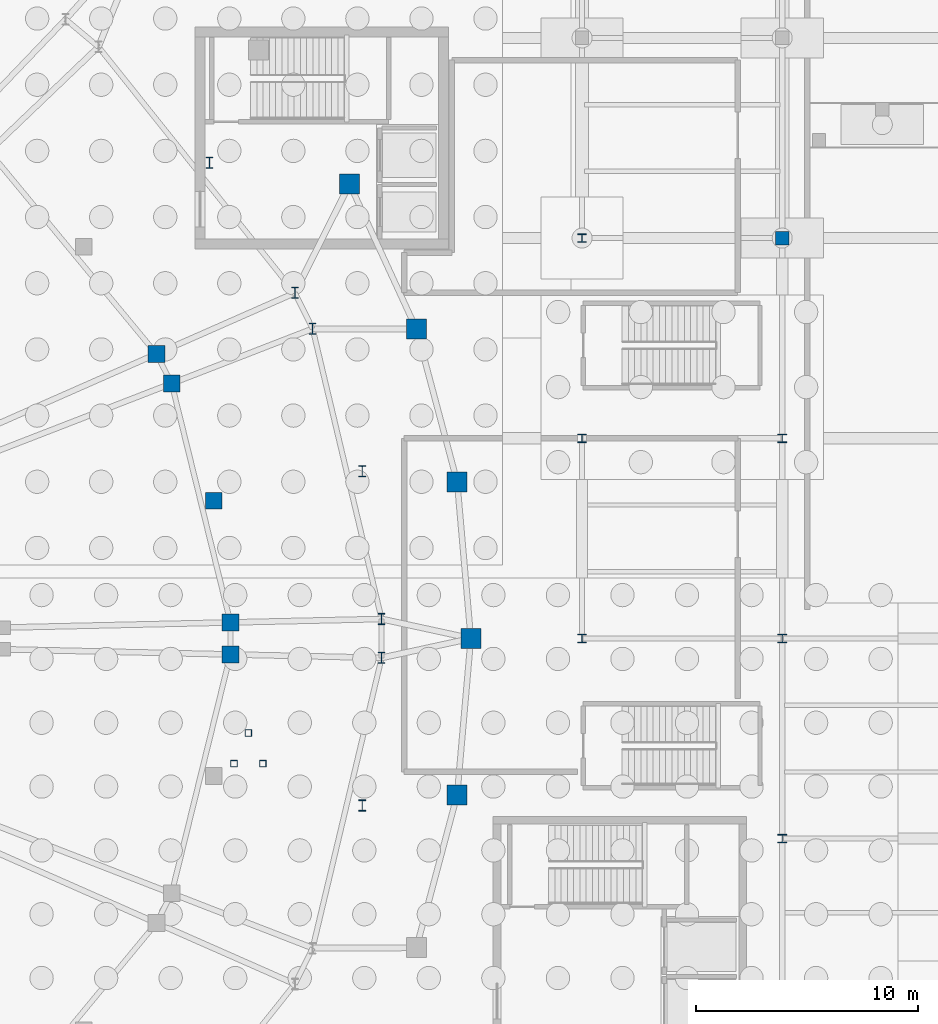
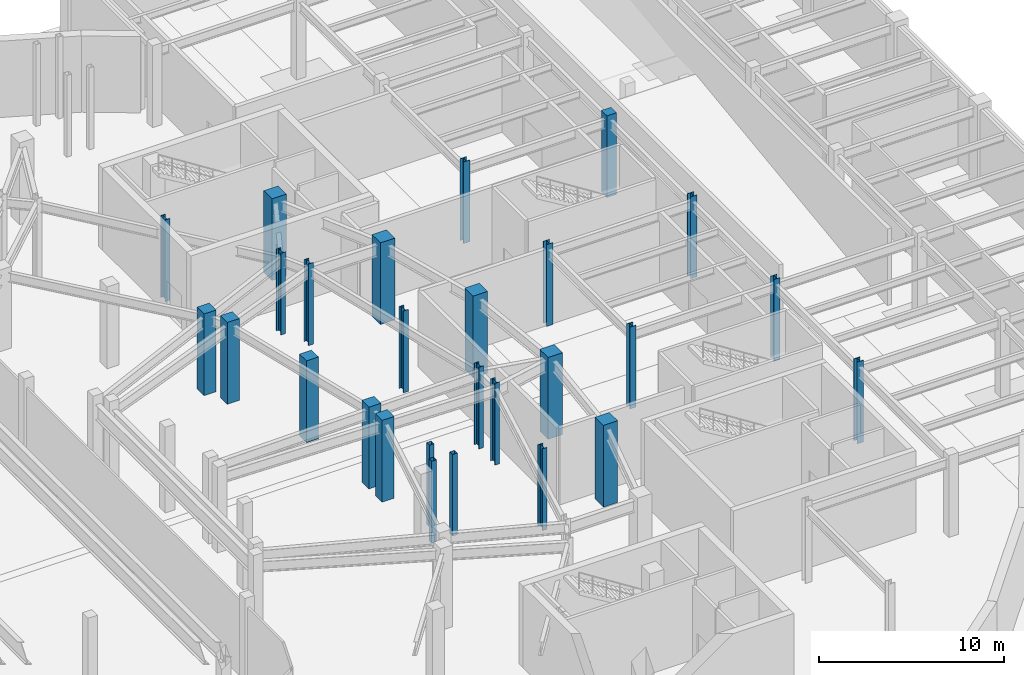
# One storey, part 27 of 56: 27 columns.
"""IFC4 building model written with IfcOpenShell, lengths in metres."""

from ifc_helpers import new_model, si_unit, direction, frame, origin, origin_2d, place, context, subcontext, project, spatial, rectangle, hollow_rectangle, i_section, extrude, material, material_profile, profile_set, type_object, element, save


model = new_model("IFC4")

# Units and contexts
model_context = context("Model", 3, precision=1e-05, world=origin(), true_north=direction((0.0, 1.0)))
body_context = subcontext(model_context, "Body", "Model", "MODEL_VIEW")
ifc_project = project(units=[si_unit("LENGTHUNIT", "METRE"), si_unit("AREAUNIT", "SQUARE_METRE"), si_unit("VOLUMEUNIT", "CUBIC_METRE"), si_unit("PLANEANGLEUNIT", "RADIAN"), si_unit("MASSUNIT", "GRAM", prefix="KILO")], contexts=[model_context])

# Site, building, storey
site_placement = place(None, origin())
site = spatial("IfcSite", under=ifc_project, at=site_placement, CompositionType="ELEMENT")
building_placement = place(site_placement, origin())
building = spatial("IfcBuilding", under=site, at=building_placement, Name="Glasvene Arena", CompositionType="ELEMENT")
storey_placement = place(building_placement, frame((0.0, 0.0, -5.39990234375)))
storey = spatial("IfcBuildingStorey", under=building, at=storey_placement, Name="B1", CompositionType="ELEMENT", Elevation=-5.39990234375)

# Columns
ifc_material_1 = material(Name="Concrete C40/50", Category="concrete")
ifc_material_profile_1 = material_profile(ifc_material_1, rectangle(XDim=0.89990234375, YDim=0.89990234375, at=origin_2d()), Name="RC 900x900")
ifc_profile_set_1 = profile_set([ifc_material_profile_1], Name="Concrete C40/50")
column_type_1 = type_object("IfcColumnType", Name="COL-BOWL-RC900", PredefinedType="COLUMN", material=ifc_profile_set_1)
for number, where, z_axis, x_axis, name in (
    (1, (142.0, 73.0, 0.0), (0.0, 0.0, 1.0), (1.0, 0.0, 0.0), "Bowl ring column R01 B1"),
    (2, (141.384521484375, 80.03955078125, 0.0), (0.0, 0.0, 1.0), (1.0, 0.0, 0.0), "Bowl ring column R02 B1"),
    (3, (139.552734375, 86.90576171875, 0.0), (0.0, 0.0, 1.0), (1.0, 0.0, 0.0), "Bowl ring column R03 B1"),
    (4, (136.55029296875, 93.4296875, 0.0), (0.0, 0.0, 1.0), (1.0, 0.0, 0.0), "Bowl ring column R04 B1"),
    (5, (141.384521484375, 65.96044921875, 0.0), (0.0, 0.0, 1.0), (1.0, 0.0, 0.0), "Bowl ring column R40 B1"),
):
    element("IfcColumn", number, at=place(storey_placement, frame(where, z_axis=z_axis, x_axis=x_axis)), inside=storey, type_object=column_type_1, Name=name, PredefinedType="COLUMN", context=body_context, shape_type="SweptSolid", body=[
        extrude(rectangle(XDim=0.89990234375, YDim=0.89990234375, at=origin_2d()), origin(), (0.0, 0.0, 1.0), 5.39990234375),
    ])
ifc_material_profile_2 = material_profile(ifc_material_1, rectangle(XDim=0.60009765625, YDim=0.60009765625, at=origin_2d()), Name="RC 600x600")
ifc_profile_set_2 = profile_set([ifc_material_profile_2], Name="Concrete C40/50")
column_type_2 = type_object("IfcColumnType", Name="COL-IN-RC600", PredefinedType="COLUMN", material=ifc_profile_set_2)
column_placement = place(storey_placement, frame((156.0, 91.0, 0.0), z_axis=(0.0, 0.0, 1.0), x_axis=(1.0, 0.0, 0.0)))
element("IfcColumn", 6, at=column_placement, inside=storey, type_object=column_type_2, Name="Grid column 18-11 B1", PredefinedType="COLUMN", context=body_context, shape_type="SweptSolid", body=[
    extrude(rectangle(XDim=0.60009765625, YDim=0.60009765625, at=origin_2d()), origin(), (0.0, 0.0, 1.0), 5.39990234375),
])
ifc_material_profile_3 = material_profile(ifc_material_1, rectangle(XDim=0.75, YDim=0.75, at=origin_2d()), Name="RC 750x750")
ifc_profile_set_3 = profile_set([ifc_material_profile_3], Name="Concrete C40/50")
column_type_3 = type_object("IfcColumnType", Name="COL-MID-RC750", PredefinedType="COLUMN", material=ifc_profile_set_3)
for number, where, z_axis, x_axis, name in (
    (7, (131.18994140625, 73.71923828125, 0.0), (0.0, 0.0, 1.0), (1.0, 0.0, 0.0), "Mid-bowl fulcrum column B1 01-1"),
    (8, (128.547119140625, 84.46337890625, 0.0), (0.0, 0.0, 1.0), (1.0, 0.0, 0.0), "Mid-bowl fulcrum column B1 01-2"),
    (9, (127.866455078125, 85.79248046875, 0.0), (0.0, 0.0, 1.0), (1.0, 0.0, 0.0), "Mid-bowl fulcrum column B1 02-1"),
    (10, (131.18994140625, 72.28076171875, 0.0), (0.0, 0.0, 1.0), (1.0, 0.0, 0.0), "Mid-bowl fulcrum column B1 16-2"),
    (11, (130.44677734375, 79.184326171875, 0.0), (0.0, 0.0, 1.0), (1.0, 0.0, 0.0), "Mid-sector fulcrum column B1 01"),
):
    element("IfcColumn", number, at=place(storey_placement, frame(where, z_axis=z_axis, x_axis=x_axis)), inside=storey, type_object=column_type_3, Name=name, PredefinedType="COLUMN", context=body_context, shape_type="SweptSolid", body=[
        extrude(rectangle(XDim=0.75, YDim=0.75, at=origin_2d()), origin(), (0.0, 0.0, 1.0), 5.39990234375),
    ])
ifc_material_2 = material(Name="Steel S355J2", Category="steel")
ifc_material_profile_4 = material_profile(ifc_material_2, i_section(OverallWidth=0.300048828125, OverallDepth=0.5, WebThickness=0.014404296875, FlangeThickness=0.028076171875, FilletRadius=0.027099609375, at=origin_2d()), Name="HEB 500")
ifc_profile_set_4 = profile_set([ifc_material_profile_4], Name="Steel S355J2")
column_type_4 = type_object("IfcColumnType", Name="COL-W-HEB500", PredefinedType="COLUMN", material=ifc_profile_set_4)
for number, where, z_axis, x_axis, name in (
    (12, (137.98828125, 73.87353515625, 0.0), (0.0, 0.0, 1.0), (1.0, 0.0, 0.0), "Upper raker rear column B1 01-1"),
    (13, (134.886962890625, 86.922607421875, 0.0), (0.0, 0.0, 1.0), (1.0, 0.0, 0.0), "Upper raker rear column B1 01-2"),
    (14, (134.088134765625, 88.53662109375, 0.0), (0.0, 0.0, 1.0), (1.0, 0.0, 0.0), "Upper raker rear column B1 02-1"),
    (15, (137.98828125, 72.12646484375, 0.0), (0.0, 0.0, 1.0), (1.0, 0.0, 0.0), "Upper raker rear column B1 16-2"),
    (16, (137.1162109375, 80.510986328125, 0.0), (0.0, 0.0, 1.0), (1.0, 0.0, 0.0), "Mid-sector rear raker column B1 01"),
    (17, (130.24755859375, 94.389404296875, 0.0), (0.0, 0.0, 1.0), (1.0, 0.0, 0.0), "Mid-sector rear raker column B1 02"),
    (18, (137.1162109375, 65.489013671875, 0.0), (0.0, 0.0, 1.0), (1.0, 0.0, 0.0), "Mid-sector rear raker column B1 16"),
):
    element("IfcColumn", number, at=place(storey_placement, frame(where, z_axis=z_axis, x_axis=x_axis)), inside=storey, type_object=column_type_4, Name=name, PredefinedType="COLUMN", context=body_context, shape_type="SweptSolid", body=[
        extrude(i_section(OverallWidth=0.300048828125, OverallDepth=0.5, WebThickness=0.014404296875, FlangeThickness=0.028076171875, FilletRadius=0.027099609375, at=origin_2d()), origin(), (0.0, 0.0, 1.0), 5.39990234375),
    ])
ifc_material_profile_5 = material_profile(ifc_material_2, hollow_rectangle(XDim=0.300048828125, YDim=0.300048828125, WallThickness=0.012451171875, at=origin_2d()), Name="SHS 300x300x12.5")
ifc_profile_set_5 = profile_set([ifc_material_profile_5], Name="Steel S355J2")
column_type_5 = type_object("IfcColumnType", Name="COL-W-SHS300", PredefinedType="COLUMN", material=ifc_profile_set_5)
for number, where, z_axis, x_axis, name in (
    (19, (131.35009765625, 67.3701171875, 0.0), (0.0, 0.0, 1.0), (1.0, 0.0, 0.0), "Accessible ramp basement pier RP-P2-1"),
    (20, (132.64990234375, 67.3701171875, 0.0), (0.0, 0.0, 1.0), (1.0, 0.0, 0.0), "Accessible ramp basement pier RP-P2-2"),
    (21, (132.0, 68.75, 0.0), (0.0, 0.0, 1.0), (1.0, 0.0, 0.0), "Accessible ramp basement pier RP-P2-3"),
):
    element("IfcColumn", number, at=place(storey_placement, frame(where, z_axis=z_axis, x_axis=x_axis)), inside=storey, type_object=column_type_5, Name=name, PredefinedType="COLUMN", context=body_context, shape_type="SweptSolid", body=[
        extrude(hollow_rectangle(XDim=0.300048828125, YDim=0.300048828125, WallThickness=0.012451171875, at=origin_2d()), origin(), (0.0, 0.0, 1.0), 5.39990234375),
    ])
ifc_material_profile_6 = material_profile(ifc_material_2, i_section(OverallWidth=0.394775390625, OverallDepth=0.381103515625, WebThickness=0.018310546875, FlangeThickness=0.0302734375, FilletRadius=0.01513671875, at=origin_2d()), Name="UKC 356x406x235")
ifc_profile_set_6 = profile_set([ifc_material_profile_6], Name="Steel S355J2")
column_type_6 = type_object("IfcColumnType", Name="COL-W-UKC235", PredefinedType="COLUMN", material=ifc_profile_set_6)
for number, where, z_axis, x_axis, name in (
    (22, (147.0, 73.0, 0.0), (0.0, 0.0, 1.0), (1.0, 0.0, 0.0), "Grid column 17-9 B1"),
    (23, (147.0, 82.0, 0.0), (0.0, 0.0, 1.0), (1.0, 0.0, 0.0), "Grid column 17-10 B1"),
    (24, (147.0, 91.0, 0.0), (0.0, 0.0, 1.0), (1.0, 0.0, 0.0), "Grid column 17-11 B1"),
    (25, (156.0, 64.0, 0.0), (0.0, 0.0, 1.0), (1.0, 0.0, 0.0), "Grid column 18-8 B1"),
    (26, (156.0, 73.0, 0.0), (0.0, 0.0, 1.0), (1.0, 0.0, 0.0), "Grid column 18-9 B1"),
    (27, (156.0, 82.0, 0.0), (0.0, 0.0, 1.0), (1.0, 0.0, 0.0), "Grid column 18-10 B1"),
):
    element("IfcColumn", number, at=place(storey_placement, frame(where, z_axis=z_axis, x_axis=x_axis)), inside=storey, type_object=column_type_6, Name=name, PredefinedType="COLUMN", context=body_context, shape_type="SweptSolid", body=[
        extrude(i_section(OverallWidth=0.394775390625, OverallDepth=0.381103515625, WebThickness=0.018310546875, FlangeThickness=0.0302734375, FilletRadius=0.01513671875, at=origin_2d()), origin(), (0.0, 0.0, 1.0), 5.39990234375),
    ])

save(model, "model.ifc")
